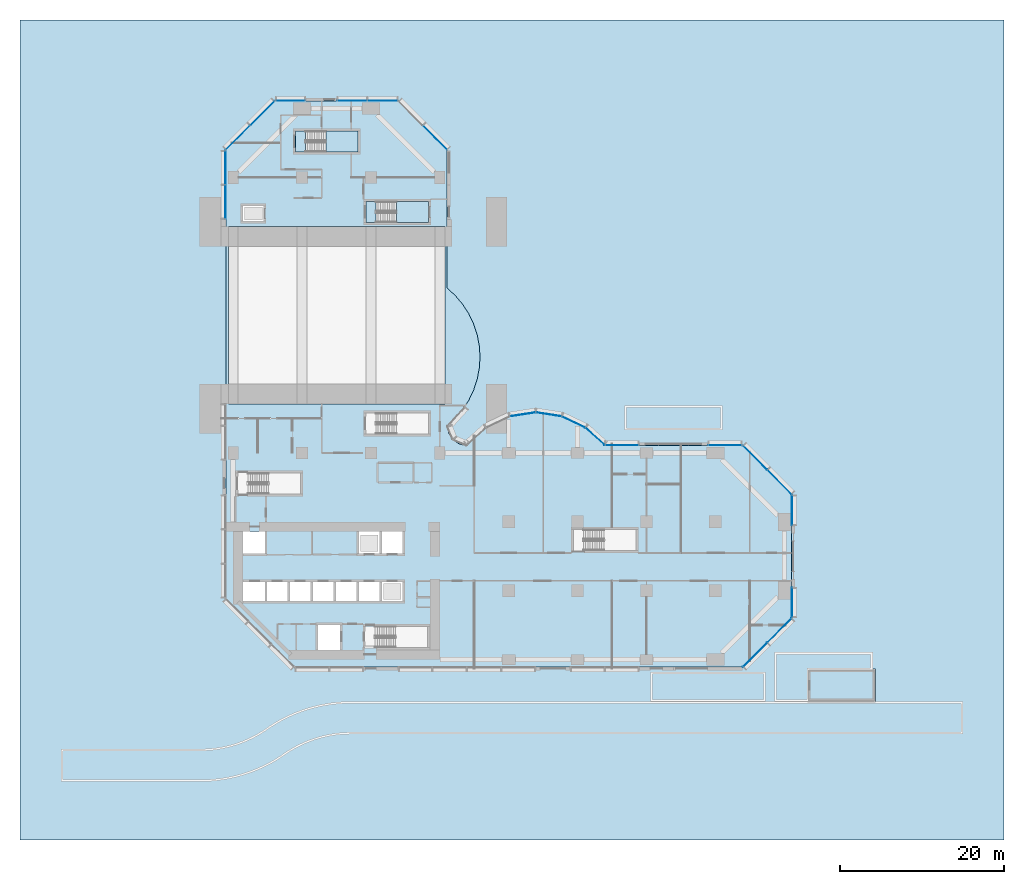
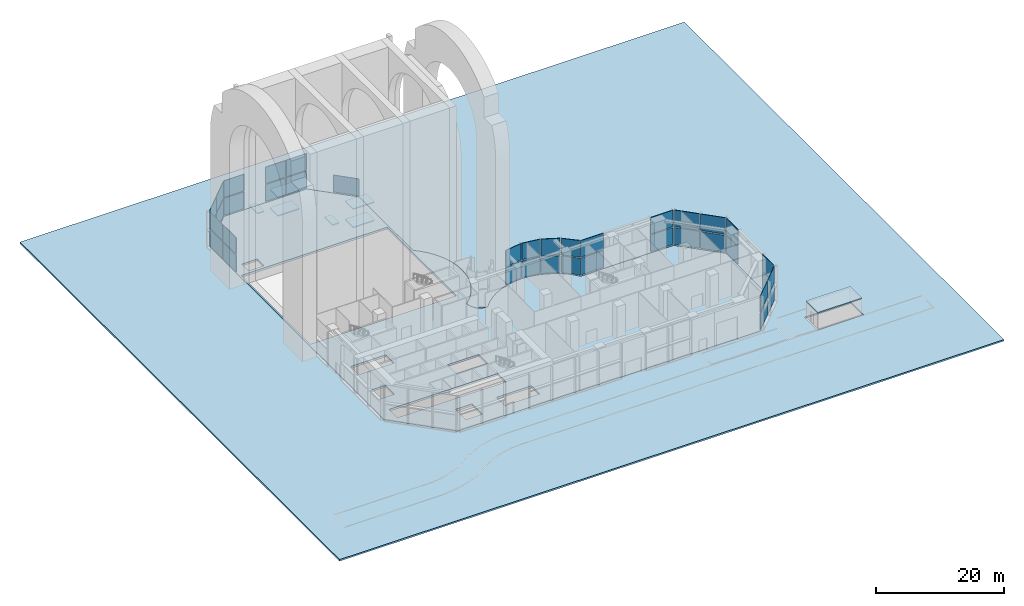
# One storey, part 6 of 21: 39 plates, 9 slabs, 14 elements without a shape of their own.
"""IFC4 building model written with IfcOpenShell, lengths in metres."""

from ifc_helpers import new_model, si_unit, direction, frame, origin, place, context, subcontext, project, spatial, polyline, outline, extrude, material, layer, layer_set, type_object, element, aggregate, save


model = new_model("IFC4")

# Units and contexts
model_context = context("Model", 3, precision=1e-05, world=origin(), true_north=direction((0.0, 1.0)))
body_context = subcontext(model_context, "Body", "Model", "MODEL_VIEW")
ifc_project = project(units=[si_unit("LENGTHUNIT", "METRE"), si_unit("AREAUNIT", "SQUARE_METRE"), si_unit("VOLUMEUNIT", "CUBIC_METRE"), si_unit("PLANEANGLEUNIT", "RADIAN"), si_unit("MASSUNIT", "GRAM", prefix="KILO")], contexts=[model_context])

# Site, building, storey
site_placement = place(None, origin())
site = spatial("IfcSite", under=ifc_project, at=site_placement, CompositionType="ELEMENT")
building_placement = place(site_placement, origin())
building = spatial("IfcBuilding", under=site, at=building_placement, Name="Brevane Broadcast Tower", CompositionType="ELEMENT")
storey_placement = place(building_placement, origin())
storey = spatial("IfcBuildingStorey", under=building, at=storey_placement, Name="L00", CompositionType="ELEMENT", Elevation=0.0)

# Curtain wall, plates
ifc_material_1 = material(Name="Aluminium 6063-T6 bronze anodised", Category="aluminium")
curtain_wall_type = type_object("IfcCurtainWallType", Name="CW-6 curtain wall", PredefinedType="NOTDEFINED", material=ifc_material_1)
curtain_wall_1_placement = place(storey_placement, origin())
curtain_wall_1 = element("IfcCurtainWall", 1, at=curtain_wall_1_placement, inside=storey, type_object=curtain_wall_type, Name="CW-6 ground storey storefront unit L00 south-east chamfer", PredefinedType="NOTDEFINED")
ifc_material_2 = material(Name="Laminated glass bronze-tinted", Category="glass")
ifc_layer_1 = layer(ifc_material_2, 0.0400390625)
ifc_layer_set_1 = layer_set([ifc_layer_1], Name="CW glass panel 40")
plate_type = type_object("IfcPlateType", Name="CW glass panel 40", PredefinedType="CURTAIN_PANEL", material=ifc_layer_set_1)
plate_1_placement = place(storey_placement, frame((0.0, 0.0, 0.199951171875)))
plate_1 = element("IfcPlate", 2, at=plate_1_placement, type_object=plate_type, Name="CW-6 glass panel", PredefinedType="CURTAIN_PANEL", context=body_context, shape_type="SweptSolid", body=[
    extrude(outline(polyline([(62.16357421875, -0.87890625), (65.078857421875, 2.036376953125), (65.107177734375, 2.008056640625), (62.19189453125, -0.906982421875), (62.16357421875, -0.87890625)])), origin(), (0.0, 0.0, 1.0), 3.199951171875),
])
plate_2_placement = place(storey_placement, frame((0.0, 0.0, 3.60009765625)))
plate_2 = element("IfcPlate", 3, at=plate_2_placement, type_object=plate_type, Name="CW-6 glass panel", PredefinedType="CURTAIN_PANEL", context=body_context, shape_type="SweptSolid", body=[
    extrude(outline(polyline([(62.16357421875, -0.87890625), (65.078857421875, 2.036376953125), (65.107177734375, 2.008056640625), (62.19189453125, -0.906982421875), (62.16357421875, -0.87890625)])), origin(), (0.0, 0.0, 1.0), 3.14990234375),
])
plate_3_placement = place(storey_placement, frame((0.0, 0.0, 0.199951171875)))
plate_3 = element("IfcPlate", 4, at=plate_3_placement, type_object=plate_type, Name="CW-6 glass panel", PredefinedType="CURTAIN_PANEL", context=body_context, shape_type="SweptSolid", body=[
    extrude(outline(polyline([(68.078857421875, 5.036376953125), (68.107177734375, 5.008056640625), (65.19189453125, 2.093017578125), (65.16357421875, 2.12109375), (68.078857421875, 5.036376953125)])), origin(), (0.0, 0.0, 1.0), 3.199951171875),
])
plate_4_placement = place(storey_placement, frame((0.0, 0.0, 3.60009765625)))
plate_4 = element("IfcPlate", 5, at=plate_4_placement, type_object=plate_type, Name="CW-6 glass panel", PredefinedType="CURTAIN_PANEL", context=body_context, shape_type="SweptSolid", body=[
    extrude(outline(polyline([(68.078857421875, 5.036376953125), (68.107177734375, 5.008056640625), (65.19189453125, 2.093017578125), (65.16357421875, 2.12109375), (68.078857421875, 5.036376953125)])), origin(), (0.0, 0.0, 1.0), 3.14990234375),
])
aggregate(curtain_wall_1, [plate_1, plate_2, plate_3, plate_4])

curtain_wall_2_placement = place(storey_placement, origin())
curtain_wall_2 = element("IfcCurtainWall", 6, at=curtain_wall_2_placement, inside=storey, type_object=curtain_wall_type, Name="CW-6 ground storey storefront unit L00 east end", PredefinedType="NOTDEFINED")
plate_5_placement = place(storey_placement, frame((0.0, 0.0, 0.199951171875)))
plate_5 = element("IfcPlate", 7, at=plate_5_placement, type_object=plate_type, Name="CW-6 glass panel", PredefinedType="CURTAIN_PANEL", context=body_context, shape_type="SweptSolid", body=[
    extrude(outline(polyline([(68.169921875, 8.7900390625), (68.1298828125, 8.7900390625), (68.1298828125, 5.159912109375), (68.169921875, 5.159912109375), (68.169921875, 8.7900390625)])), origin(), (0.0, 0.0, 1.0), 3.199951171875),
])
plate_6_placement = place(storey_placement, frame((0.0, 0.0, 3.60009765625)))
plate_6 = element("IfcPlate", 8, at=plate_6_placement, type_object=plate_type, Name="CW-6 glass panel", PredefinedType="CURTAIN_PANEL", context=body_context, shape_type="SweptSolid", body=[
    extrude(outline(polyline([(68.169921875, 8.7900390625), (68.1298828125, 8.7900390625), (68.1298828125, 5.159912109375), (68.169921875, 5.159912109375), (68.169921875, 8.7900390625)])), origin(), (0.0, 0.0, 1.0), 3.14990234375),
])
aggregate(curtain_wall_2, [plate_5, plate_6])

curtain_wall_3_placement = place(storey_placement, origin())
curtain_wall_3 = element("IfcCurtainWall", 9, at=curtain_wall_3_placement, inside=storey, type_object=curtain_wall_type, Name="CW-6 ground storey storefront unit L00 east end", PredefinedType="NOTDEFINED")
plate_7_placement = place(storey_placement, frame((0.0, 0.0, 0.199951171875)))
plate_7 = element("IfcPlate", 10, at=plate_7_placement, type_object=plate_type, Name="CW-6 glass panel", PredefinedType="CURTAIN_PANEL", context=body_context, shape_type="SweptSolid", body=[
    extrude(outline(polyline([(68.169921875, 20.0400390625), (68.1298828125, 20.0400390625), (68.1298828125, 16.409912109375), (68.169921875, 16.409912109375), (68.169921875, 20.0400390625)])), origin(), (0.0, 0.0, 1.0), 3.199951171875),
])
plate_8_placement = place(storey_placement, frame((0.0, 0.0, 3.60009765625)))
plate_8 = element("IfcPlate", 11, at=plate_8_placement, type_object=plate_type, Name="CW-6 glass panel", PredefinedType="CURTAIN_PANEL", context=body_context, shape_type="SweptSolid", body=[
    extrude(outline(polyline([(68.169921875, 20.0400390625), (68.1298828125, 20.0400390625), (68.1298828125, 16.409912109375), (68.169921875, 16.409912109375), (68.169921875, 20.0400390625)])), origin(), (0.0, 0.0, 1.0), 3.14990234375),
])
aggregate(curtain_wall_3, [plate_7, plate_8])

curtain_wall_4_placement = place(storey_placement, origin())
curtain_wall_4 = element("IfcCurtainWall", 12, at=curtain_wall_4_placement, inside=storey, type_object=curtain_wall_type, Name="CW-6 ground storey storefront unit L00 north-east chamfer", PredefinedType="NOTDEFINED")
plate_9_placement = place(storey_placement, frame((0.0, 0.0, 0.199951171875)))
plate_9 = element("IfcPlate", 13, at=plate_9_placement, type_object=plate_type, Name="CW-6 glass panel", PredefinedType="CURTAIN_PANEL", context=body_context, shape_type="SweptSolid", body=[
    extrude(outline(polyline([(68.078857421875, 20.16357421875), (65.16357421875, 23.078857421875), (65.19189453125, 23.107177734375), (68.107177734375, 20.19189453125), (68.078857421875, 20.16357421875)])), origin(), (0.0, 0.0, 1.0), 3.199951171875),
])
plate_10_placement = place(storey_placement, frame((0.0, 0.0, 3.60009765625)))
plate_10 = element("IfcPlate", 14, at=plate_10_placement, type_object=plate_type, Name="CW-6 glass panel", PredefinedType="CURTAIN_PANEL", context=body_context, shape_type="SweptSolid", body=[
    extrude(outline(polyline([(68.078857421875, 20.16357421875), (65.16357421875, 23.078857421875), (65.19189453125, 23.107177734375), (68.107177734375, 20.19189453125), (68.078857421875, 20.16357421875)])), origin(), (0.0, 0.0, 1.0), 3.14990234375),
])
plate_11_placement = place(storey_placement, frame((0.0, 0.0, 0.199951171875)))
plate_11 = element("IfcPlate", 15, at=plate_11_placement, type_object=plate_type, Name="CW-6 glass panel", PredefinedType="CURTAIN_PANEL", context=body_context, shape_type="SweptSolid", body=[
    extrude(outline(polyline([(65.078857421875, 23.16357421875), (62.16357421875, 26.078857421875), (62.19189453125, 26.107177734375), (65.107177734375, 23.19189453125), (65.078857421875, 23.16357421875)])), origin(), (0.0, 0.0, 1.0), 3.199951171875),
])
plate_12_placement = place(storey_placement, frame((0.0, 0.0, 3.60009765625)))
plate_12 = element("IfcPlate", 16, at=plate_12_placement, type_object=plate_type, Name="CW-6 glass panel", PredefinedType="CURTAIN_PANEL", context=body_context, shape_type="SweptSolid", body=[
    extrude(outline(polyline([(65.078857421875, 23.16357421875), (62.16357421875, 26.078857421875), (62.19189453125, 26.107177734375), (65.107177734375, 23.19189453125), (65.078857421875, 23.16357421875)])), origin(), (0.0, 0.0, 1.0), 3.14990234375),
])
aggregate(curtain_wall_4, [plate_9, plate_10, plate_11, plate_12])

curtain_wall_5_placement = place(storey_placement, origin())
curtain_wall_5 = element("IfcCurtainWall", 17, at=curtain_wall_5_placement, inside=storey, type_object=curtain_wall_type, Name="CW-6 ground storey storefront unit L00 east arm north face", PredefinedType="NOTDEFINED")
plate_13_placement = place(storey_placement, frame((0.0, 0.0, 0.199951171875)))
plate_13 = element("IfcPlate", 18, at=plate_13_placement, type_object=plate_type, Name="CW-6 glass panel", PredefinedType="CURTAIN_PANEL", context=body_context, shape_type="SweptSolid", body=[
    extrude(outline(polyline([(57.9599609375, 26.169921875), (57.9599609375, 26.1298828125), (62.0400390625, 26.1298828125), (62.0400390625, 26.169921875), (57.9599609375, 26.169921875)])), origin(), (0.0, 0.0, 1.0), 3.199951171875),
])
plate_14_placement = place(storey_placement, frame((0.0, 0.0, 3.60009765625)))
plate_14 = element("IfcPlate", 19, at=plate_14_placement, type_object=plate_type, Name="CW-6 glass panel", PredefinedType="CURTAIN_PANEL", context=body_context, shape_type="SweptSolid", body=[
    extrude(outline(polyline([(57.9599609375, 26.169921875), (57.9599609375, 26.1298828125), (62.0400390625, 26.1298828125), (62.0400390625, 26.169921875), (57.9599609375, 26.169921875)])), origin(), (0.0, 0.0, 1.0), 3.14990234375),
])
aggregate(curtain_wall_5, [plate_13, plate_14])

curtain_wall_6_placement = place(storey_placement, origin())
curtain_wall_6 = element("IfcCurtainWall", 20, at=curtain_wall_6_placement, inside=storey, type_object=curtain_wall_type, Name="CW-6 ground storey storefront unit L00 east arm north face", PredefinedType="NOTDEFINED")
plate_15_placement = place(storey_placement, frame((0.0, 0.0, 0.199951171875)))
plate_15 = element("IfcPlate", 21, at=plate_15_placement, type_object=plate_type, Name="CW-6 glass panel", PredefinedType="CURTAIN_PANEL", context=body_context, shape_type="SweptSolid", body=[
    extrude(outline(polyline([(45.360107421875, 26.169921875), (45.360107421875, 26.1298828125), (49.43994140625, 26.1298828125), (49.43994140625, 26.169921875), (45.360107421875, 26.169921875)])), origin(), (0.0, 0.0, 1.0), 3.199951171875),
])
plate_16_placement = place(storey_placement, frame((0.0, 0.0, 3.60009765625)))
plate_16 = element("IfcPlate", 22, at=plate_16_placement, type_object=plate_type, Name="CW-6 glass panel", PredefinedType="CURTAIN_PANEL", context=body_context, shape_type="SweptSolid", body=[
    extrude(outline(polyline([(45.360107421875, 26.169921875), (45.360107421875, 26.1298828125), (49.43994140625, 26.1298828125), (49.43994140625, 26.169921875), (45.360107421875, 26.169921875)])), origin(), (0.0, 0.0, 1.0), 3.14990234375),
])
aggregate(curtain_wall_6, [plate_15, plate_16])

curtain_wall_7_placement = place(storey_placement, origin())
curtain_wall_7 = element("IfcCurtainWall", 23, at=curtain_wall_7_placement, inside=storey, type_object=curtain_wall_type, Name="CW-6 ground storey storefront unit L00 east bow", PredefinedType="NOTDEFINED")
plate_17_placement = place(storey_placement, frame((0.0, 0.0, 0.199951171875)))
plate_17 = element("IfcPlate", 24, at=plate_17_placement, type_object=plate_type, Name="CW-6 glass panel", PredefinedType="CURTAIN_PANEL", context=body_context, shape_type="SweptSolid", body=[
    extrude(outline(polyline([(45.275634765625, 26.16259765625), (45.302490234375, 26.192138671875), (43.0400390625, 28.23583984375), (43.017578125, 28.202392578125), (45.275634765625, 26.16259765625)])), origin(), (0.0, 0.0, 1.0), 3.199951171875),
])
plate_18_placement = place(storey_placement, frame((0.0, 0.0, 3.60009765625)))
plate_18 = element("IfcPlate", 25, at=plate_18_placement, type_object=plate_type, Name="CW-6 glass panel", PredefinedType="CURTAIN_PANEL", context=body_context, shape_type="SweptSolid", body=[
    extrude(outline(polyline([(45.275634765625, 26.16259765625), (45.302490234375, 26.192138671875), (43.0400390625, 28.23583984375), (43.017578125, 28.202392578125), (45.275634765625, 26.16259765625)])), origin(), (0.0, 0.0, 1.0), 3.14990234375),
])
plate_19_placement = place(storey_placement, frame((0.0, 0.0, 0.199951171875)))
plate_19 = element("IfcPlate", 26, at=plate_19_placement, type_object=plate_type, Name="CW-6 glass panel", PredefinedType="CURTAIN_PANEL", context=body_context, shape_type="SweptSolid", body=[
    extrude(outline(polyline([(42.865478515625, 28.30419921875), (42.88818359375, 28.337646484375), (40.157470703125, 29.637939453125), (40.1455078125, 29.599365234375), (42.865478515625, 28.30419921875)])), origin(), (0.0, 0.0, 1.0), 3.199951171875),
])
plate_20_placement = place(storey_placement, frame((0.0, 0.0, 3.60009765625)))
plate_20 = element("IfcPlate", 27, at=plate_20_placement, type_object=plate_type, Name="CW-6 glass panel", PredefinedType="CURTAIN_PANEL", context=body_context, shape_type="SweptSolid", body=[
    extrude(outline(polyline([(42.865478515625, 28.30419921875), (42.88818359375, 28.337646484375), (40.157470703125, 29.637939453125), (40.1455078125, 29.599365234375), (42.865478515625, 28.30419921875)])), origin(), (0.0, 0.0, 1.0), 3.14990234375),
])
plate_21_placement = place(storey_placement, frame((0.0, 0.0, 0.199951171875)))
plate_21 = element("IfcPlate", 28, at=plate_21_placement, type_object=plate_type, Name="CW-6 glass panel", PredefinedType="CURTAIN_PANEL", context=body_context, shape_type="SweptSolid", body=[
    extrude(outline(polyline([(39.970703125, 29.6533203125), (39.982666015625, 29.69189453125), (36.997314453125, 30.15576171875), (36.997314453125, 30.115234375), (39.970703125, 29.6533203125)])), origin(), (0.0, 0.0, 1.0), 3.199951171875),
])
plate_22_placement = place(storey_placement, frame((0.0, 0.0, 3.60009765625)))
plate_22 = element("IfcPlate", 29, at=plate_22_placement, type_object=plate_type, Name="CW-6 glass panel", PredefinedType="CURTAIN_PANEL", context=body_context, shape_type="SweptSolid", body=[
    extrude(outline(polyline([(39.970703125, 29.6533203125), (39.982666015625, 29.69189453125), (36.997314453125, 30.15576171875), (36.997314453125, 30.115234375), (39.970703125, 29.6533203125)])), origin(), (0.0, 0.0, 1.0), 3.14990234375),
])
plate_23_placement = place(storey_placement, frame((0.0, 0.0, 0.199951171875)))
plate_23 = element("IfcPlate", 30, at=plate_23_placement, type_object=plate_type, Name="CW-6 glass panel", PredefinedType="CURTAIN_PANEL", context=body_context, shape_type="SweptSolid", body=[
    extrude(outline(polyline([(36.802490234375, 30.115234375), (36.802490234375, 30.15576171875), (33.8173828125, 29.69189453125), (33.829345703125, 29.6533203125), (36.802490234375, 30.115234375)])), origin(), (0.0, 0.0, 1.0), 3.199951171875),
])
plate_24_placement = place(storey_placement, frame((0.0, 0.0, 3.60009765625)))
plate_24 = element("IfcPlate", 31, at=plate_24_placement, type_object=plate_type, Name="CW-6 glass panel", PredefinedType="CURTAIN_PANEL", context=body_context, shape_type="SweptSolid", body=[
    extrude(outline(polyline([(36.802490234375, 30.115234375), (36.802490234375, 30.15576171875), (33.8173828125, 29.69189453125), (33.829345703125, 29.6533203125), (36.802490234375, 30.115234375)])), origin(), (0.0, 0.0, 1.0), 3.14990234375),
])
aggregate(curtain_wall_7, [plate_17, plate_18, plate_19, plate_20, plate_21, plate_22, plate_23, plate_24])

# Curtain wall, plate
curtain_wall_8_placement = place(storey_placement, origin())
curtain_wall_8 = element("IfcCurtainWall", 32, at=curtain_wall_8_placement, inside=storey, type_object=curtain_wall_type, Name="CW-6 ground storey storefront unit L00 north arm north-east chamfer", PredefinedType="NOTDEFINED")
plate_25_placement = place(storey_placement, frame((0.0, 0.0, 0.199951171875)))
plate_25 = element("IfcPlate", 33, at=plate_25_placement, type_object=plate_type, Name="CW-6 glass panel", PredefinedType="CURTAIN_PANEL", context=body_context, shape_type="SweptSolid", body=[
    extrude(outline(polyline([(26.078857421875, 62.16357421875), (23.16357421875, 65.078857421875), (23.19189453125, 65.107177734375), (26.107177734375, 62.19189453125), (26.078857421875, 62.16357421875)])), origin(), (0.0, 0.0, 1.0), 3.199951171875),
])
aggregate(curtain_wall_8, [plate_25])

# Curtain wall, plates
curtain_wall_9_placement = place(storey_placement, origin())
curtain_wall_9 = element("IfcCurtainWall", 34, at=curtain_wall_9_placement, inside=storey, type_object=curtain_wall_type, Name="CW-6 ground storey storefront unit L00 north end", PredefinedType="NOTDEFINED")
plate_26_placement = place(storey_placement, frame((0.0, 0.0, 0.199951171875)))
plate_26 = element("IfcPlate", 35, at=plate_26_placement, type_object=plate_type, Name="CW-6 glass panel", PredefinedType="CURTAIN_PANEL", context=body_context, shape_type="SweptSolid", body=[
    extrude(outline(polyline([(16.409912109375, 68.169921875), (16.409912109375, 68.1298828125), (20.0400390625, 68.1298828125), (20.0400390625, 68.169921875), (16.409912109375, 68.169921875)])), origin(), (0.0, 0.0, 1.0), 3.199951171875),
])
plate_27_placement = place(storey_placement, frame((0.0, 0.0, 3.60009765625)))
plate_27 = element("IfcPlate", 36, at=plate_27_placement, type_object=plate_type, Name="CW-6 glass panel", PredefinedType="CURTAIN_PANEL", context=body_context, shape_type="SweptSolid", body=[
    extrude(outline(polyline([(16.409912109375, 68.169921875), (16.409912109375, 68.1298828125), (20.0400390625, 68.1298828125), (20.0400390625, 68.169921875), (16.409912109375, 68.169921875)])), origin(), (0.0, 0.0, 1.0), 3.14990234375),
])
plate_28_placement = place(storey_placement, frame((0.0, 0.0, 0.199951171875)))
plate_28 = element("IfcPlate", 37, at=plate_28_placement, type_object=plate_type, Name="CW-6 glass panel", PredefinedType="CURTAIN_PANEL", context=body_context, shape_type="SweptSolid", body=[
    extrude(outline(polyline([(12.659912109375, 68.169921875), (12.659912109375, 68.1298828125), (16.2900390625, 68.1298828125), (16.2900390625, 68.169921875), (12.659912109375, 68.169921875)])), origin(), (0.0, 0.0, 1.0), 3.199951171875),
])
plate_29_placement = place(storey_placement, frame((0.0, 0.0, 3.60009765625)))
plate_29 = element("IfcPlate", 38, at=plate_29_placement, type_object=plate_type, Name="CW-6 glass panel", PredefinedType="CURTAIN_PANEL", context=body_context, shape_type="SweptSolid", body=[
    extrude(outline(polyline([(12.659912109375, 68.169921875), (12.659912109375, 68.1298828125), (16.2900390625, 68.1298828125), (16.2900390625, 68.169921875), (12.659912109375, 68.169921875)])), origin(), (0.0, 0.0, 1.0), 3.14990234375),
])
aggregate(curtain_wall_9, [plate_26, plate_27, plate_28, plate_29])

curtain_wall_10_placement = place(storey_placement, origin())
curtain_wall_10 = element("IfcCurtainWall", 39, at=curtain_wall_10_placement, inside=storey, type_object=curtain_wall_type, Name="CW-6 ground storey storefront unit L00 north end", PredefinedType="NOTDEFINED")
plate_30_placement = place(storey_placement, frame((0.0, 0.0, 0.199951171875)))
plate_30 = element("IfcPlate", 40, at=plate_30_placement, type_object=plate_type, Name="CW-6 glass panel", PredefinedType="CURTAIN_PANEL", context=body_context, shape_type="SweptSolid", body=[
    extrude(outline(polyline([(5.159912109375, 68.169921875), (5.159912109375, 68.1298828125), (8.7900390625, 68.1298828125), (8.7900390625, 68.169921875), (5.159912109375, 68.169921875)])), origin(), (0.0, 0.0, 1.0), 3.199951171875),
])
plate_31_placement = place(storey_placement, frame((0.0, 0.0, 3.60009765625)))
plate_31 = element("IfcPlate", 41, at=plate_31_placement, type_object=plate_type, Name="CW-6 glass panel", PredefinedType="CURTAIN_PANEL", context=body_context, shape_type="SweptSolid", body=[
    extrude(outline(polyline([(5.159912109375, 68.169921875), (5.159912109375, 68.1298828125), (8.7900390625, 68.1298828125), (8.7900390625, 68.169921875), (5.159912109375, 68.169921875)])), origin(), (0.0, 0.0, 1.0), 3.14990234375),
])
aggregate(curtain_wall_10, [plate_30, plate_31])

curtain_wall_11_placement = place(storey_placement, origin())
curtain_wall_11 = element("IfcCurtainWall", 42, at=curtain_wall_11_placement, inside=storey, type_object=curtain_wall_type, Name="CW-6 ground storey storefront unit L00 north-west chamfer", PredefinedType="NOTDEFINED")
plate_32_placement = place(storey_placement, frame((0.0, 0.0, 0.199951171875)))
plate_32 = element("IfcPlate", 43, at=plate_32_placement, type_object=plate_type, Name="CW-6 glass panel", PredefinedType="CURTAIN_PANEL", context=body_context, shape_type="SweptSolid", body=[
    extrude(outline(polyline([(5.036376953125, 68.078857421875), (2.12109375, 65.16357421875), (2.093017578125, 65.19189453125), (5.008056640625, 68.107177734375), (5.036376953125, 68.078857421875)])), origin(), (0.0, 0.0, 1.0), 3.199951171875),
])
plate_33_placement = place(storey_placement, frame((0.0, 0.0, 3.60009765625)))
plate_33 = element("IfcPlate", 44, at=plate_33_placement, type_object=plate_type, Name="CW-6 glass panel", PredefinedType="CURTAIN_PANEL", context=body_context, shape_type="SweptSolid", body=[
    extrude(outline(polyline([(5.036376953125, 68.078857421875), (2.12109375, 65.16357421875), (2.093017578125, 65.19189453125), (5.008056640625, 68.107177734375), (5.036376953125, 68.078857421875)])), origin(), (0.0, 0.0, 1.0), 3.14990234375),
])
plate_34_placement = place(storey_placement, frame((0.0, 0.0, 0.199951171875)))
plate_34 = element("IfcPlate", 45, at=plate_34_placement, type_object=plate_type, Name="CW-6 glass panel", PredefinedType="CURTAIN_PANEL", context=body_context, shape_type="SweptSolid", body=[
    extrude(outline(polyline([(2.036376953125, 65.078857421875), (-0.87890625, 62.16357421875), (-0.906982421875, 62.19189453125), (2.008056640625, 65.107177734375), (2.036376953125, 65.078857421875)])), origin(), (0.0, 0.0, 1.0), 3.199951171875),
])
plate_35_placement = place(storey_placement, frame((0.0, 0.0, 3.60009765625)))
plate_35 = element("IfcPlate", 46, at=plate_35_placement, type_object=plate_type, Name="CW-6 glass panel", PredefinedType="CURTAIN_PANEL", context=body_context, shape_type="SweptSolid", body=[
    extrude(outline(polyline([(2.036376953125, 65.078857421875), (-0.87890625, 62.16357421875), (-0.906982421875, 62.19189453125), (2.008056640625, 65.107177734375), (2.036376953125, 65.078857421875)])), origin(), (0.0, 0.0, 1.0), 3.14990234375),
])
aggregate(curtain_wall_11, [plate_32, plate_33, plate_34, plate_35])

curtain_wall_12_placement = place(storey_placement, origin())
curtain_wall_12 = element("IfcCurtainWall", 47, at=curtain_wall_12_placement, inside=storey, type_object=curtain_wall_type, Name="CW-6 ground storey storefront unit L00 west face", PredefinedType="NOTDEFINED")
plate_36_placement = place(storey_placement, frame((0.0, 0.0, 0.199951171875)))
plate_36 = element("IfcPlate", 48, at=plate_36_placement, type_object=plate_type, Name="CW-6 glass panel", PredefinedType="CURTAIN_PANEL", context=body_context, shape_type="SweptSolid", body=[
    extrude(outline(polyline([(-0.969970703125, 57.9599609375), (-0.929931640625, 57.9599609375), (-0.929931640625, 62.0400390625), (-0.969970703125, 62.0400390625), (-0.969970703125, 57.9599609375)])), origin(), (0.0, 0.0, 1.0), 3.199951171875),
])
plate_37_placement = place(storey_placement, frame((0.0, 0.0, 3.60009765625)))
plate_37 = element("IfcPlate", 49, at=plate_37_placement, type_object=plate_type, Name="CW-6 glass panel", PredefinedType="CURTAIN_PANEL", context=body_context, shape_type="SweptSolid", body=[
    extrude(outline(polyline([(-0.969970703125, 57.9599609375), (-0.929931640625, 57.9599609375), (-0.929931640625, 62.0400390625), (-0.969970703125, 62.0400390625), (-0.969970703125, 57.9599609375)])), origin(), (0.0, 0.0, 1.0), 3.14990234375),
])
plate_38_placement = place(storey_placement, frame((0.0, 0.0, 0.199951171875)))
plate_38 = element("IfcPlate", 50, at=plate_38_placement, type_object=plate_type, Name="CW-6 glass panel", PredefinedType="CURTAIN_PANEL", context=body_context, shape_type="SweptSolid", body=[
    extrude(outline(polyline([(-0.969970703125, 53.760009765625), (-0.929931640625, 53.760009765625), (-0.929931640625, 57.840087890625), (-0.969970703125, 57.840087890625), (-0.969970703125, 53.760009765625)])), origin(), (0.0, 0.0, 1.0), 3.199951171875),
])
plate_39_placement = place(storey_placement, frame((0.0, 0.0, 3.60009765625)))
plate_39 = element("IfcPlate", 51, at=plate_39_placement, type_object=plate_type, Name="CW-6 glass panel", PredefinedType="CURTAIN_PANEL", context=body_context, shape_type="SweptSolid", body=[
    extrude(outline(polyline([(-0.969970703125, 53.760009765625), (-0.929931640625, 53.760009765625), (-0.929931640625, 57.840087890625), (-0.969970703125, 57.840087890625), (-0.969970703125, 53.760009765625)])), origin(), (0.0, 0.0, 1.0), 3.14990234375),
])
aggregate(curtain_wall_12, [plate_36, plate_37, plate_38, plate_39])

# Stair, slabs
ifc_material_3 = material(Name="Concrete C50/60", Category="concrete")
stair_type = type_object("IfcStairType", Name="Exit stair 40 risers", PredefinedType="HALF_TURN_STAIR", material=ifc_material_3)
stair_1_placement = place(storey_placement, origin())
stair_1 = element("IfcStair", 52, at=stair_1_placement, inside=storey, type_object=stair_type, Name="L00 Exit stair ST-5", PredefinedType="HALF_TURN_STAIR")
ifc_layer_2 = layer(ifc_material_3, 0.199951171875)
ifc_layer_set_2 = layer_set([ifc_layer_2], Name="Exit stair landing")
slab_type_1 = type_object("IfcSlabType", Name="Exit stair landing", PredefinedType="LANDING", material=ifc_layer_set_2)
slab_1_placement = place(storey_placement, frame((0.0, 0.0, 1.550048828125)))
slab_1 = element("IfcSlab", 53, at=slab_1_placement, type_object=slab_type_1, Name="ST-5 landing 1", PredefinedType="LANDING", context=body_context, shape_type="SweptSolid", body=[
    extrude(outline(polyline([(19.919921875, 53.300048828125), (23.800048828125, 53.300048828125), (23.800048828125, 55.85009765625), (19.919921875, 55.85009765625), (19.919921875, 53.300048828125)])), origin(), (0.0, 0.0, 1.0), 0.199951171875),
])
slab_2_placement = place(storey_placement, frame((0.0, 0.0, 3.300048828125)))
slab_2 = element("IfcSlab", 54, at=slab_2_placement, type_object=slab_type_1, Name="ST-5 landing 2", PredefinedType="LANDING", context=body_context, shape_type="SweptSolid", body=[
    extrude(outline(polyline([(16.199951171875, 53.300048828125), (17.39990234375, 53.300048828125), (17.39990234375, 55.85009765625), (16.199951171875, 55.85009765625), (16.199951171875, 53.300048828125)])), origin(), (0.0, 0.0, 1.0), 0.199951171875),
])
slab_3_placement = place(storey_placement, frame((0.0, 0.0, 5.050048828125)))
slab_3 = element("IfcSlab", 55, at=slab_3_placement, type_object=slab_type_1, Name="ST-5 landing 3", PredefinedType="LANDING", context=body_context, shape_type="SweptSolid", body=[
    extrude(outline(polyline([(19.919921875, 53.300048828125), (23.800048828125, 53.300048828125), (23.800048828125, 55.85009765625), (19.919921875, 55.85009765625), (19.919921875, 53.300048828125)])), origin(), (0.0, 0.0, 1.0), 0.199951171875),
])
aggregate(stair_1, [slab_1, slab_2, slab_3])

stair_2_placement = place(storey_placement, origin())
stair_2 = element("IfcStair", 56, at=stair_2_placement, inside=storey, type_object=stair_type, Name="L00 Exit stair ST-6", PredefinedType="HALF_TURN_STAIR")
slab_4_placement = place(storey_placement, frame((0.0, 0.0, 1.550048828125)))
slab_4 = element("IfcSlab", 57, at=slab_4_placement, type_object=slab_type_1, Name="ST-6 landing 1", PredefinedType="LANDING", context=body_context, shape_type="SweptSolid", body=[
    extrude(outline(polyline([(11.320068359375, 61.89990234375), (15.199951171875, 61.89990234375), (15.199951171875, 64.449951171875), (11.320068359375, 64.449951171875), (11.320068359375, 61.89990234375)])), origin(), (0.0, 0.0, 1.0), 0.199951171875),
])
slab_5_placement = place(storey_placement, frame((0.0, 0.0, 3.300048828125)))
slab_5 = element("IfcSlab", 58, at=slab_5_placement, type_object=slab_type_1, Name="ST-6 landing 2", PredefinedType="LANDING", context=body_context, shape_type="SweptSolid", body=[
    extrude(outline(polyline([(7.60009765625, 61.89990234375), (8.800048828125, 61.89990234375), (8.800048828125, 64.449951171875), (7.60009765625, 64.449951171875), (7.60009765625, 61.89990234375)])), origin(), (0.0, 0.0, 1.0), 0.199951171875),
])
slab_6_placement = place(storey_placement, frame((0.0, 0.0, 5.050048828125)))
slab_6 = element("IfcSlab", 59, at=slab_6_placement, type_object=slab_type_1, Name="ST-6 landing 3", PredefinedType="LANDING", context=body_context, shape_type="SweptSolid", body=[
    extrude(outline(polyline([(11.320068359375, 61.89990234375), (15.199951171875, 61.89990234375), (15.199951171875, 64.449951171875), (11.320068359375, 64.449951171875), (11.320068359375, 61.89990234375)])), origin(), (0.0, 0.0, 1.0), 0.199951171875),
])
aggregate(stair_2, [slab_4, slab_5, slab_6])

# Slabs
ifc_material_4 = material(Name="Concrete C30/37", Category="concrete")
ifc_layer_3 = layer(ifc_material_4, 0.300048828125)
ifc_layer_set_3 = layer_set([ifc_layer_3], Name="Paving slab 300")
slab_type_2 = type_object("IfcSlabType", Name="Paving slab 300", PredefinedType="USERDEFINED", material=ifc_layer_set_3)
slab_7_placement = place(storey_placement, frame((0.0, 0.0, -0.300048828125)))
element("IfcSlab", 60, at=slab_7_placement, inside=storey, type_object=slab_type_2, Name="Plaza paving", ObjectType="PAVING", PredefinedType="USERDEFINED", context=body_context, shape_type="SweptSolid", body=[
    extrude(outline(polyline([(-26.0, -22.0), (94.0, -22.0), (94.0, 78.0), (-26.0, 78.0), (-26.0, -22.0)]), holes=[polyline([(68.10107421875, 5.099609375), (68.10107421875, 20.100341796875), (62.100341796875, 26.10107421875), (45.30029296875, 26.10107421875), (44.369384765625, 27.109619140625), (43.31787109375, 27.992431640625), (42.162841796875, 28.735107421875), (40.923095703125, 29.3251953125), (39.61865234375, 29.75390625), (38.270263671875, 30.013916015625), (36.89990234375, 30.10107421875), (35.52978515625, 30.013916015625), (34.181396484375, 29.75390625), (32.876953125, 29.3251953125), (31.63720703125, 28.735107421875), (30.482177734375, 27.992431640625), (29.4306640625, 27.109619140625), (28.49951171875, 26.10107421875), (27.58203125, 26.28369140625), (26.8037109375, 26.8037109375), (26.28369140625, 27.58203125), (26.10107421875, 28.49951171875), (27.109619140625, 29.4306640625), (27.992431640625, 30.482177734375), (28.735107421875, 31.63720703125), (29.3251953125, 32.876953125), (29.75390625, 34.181396484375), (30.013916015625, 35.52978515625), (30.10107421875, 36.89990234375), (30.013916015625, 38.270263671875), (29.75390625, 39.61865234375), (29.3251953125, 40.923095703125), (28.735107421875, 42.162841796875), (27.992431640625, 43.31787109375), (27.109619140625, 44.369384765625), (26.10107421875, 45.30029296875), (26.10107421875, 62.100341796875), (20.100341796875, 68.10107421875), (5.099609375, 68.10107421875), (-0.90087890625, 62.100341796875), (-0.90087890625, 7.49951171875), (7.49951171875, -0.90087890625), (62.100341796875, -0.90087890625), (68.10107421875, 5.099609375)]), polyline([(78.35009765625, -1.14990234375), (70.050048828125, -1.14990234375), (70.050048828125, -5.14990234375), (78.35009765625, -5.14990234375), (78.35009765625, -1.14990234375)])]), origin(), (0.0, 0.0, 1.0), 0.300048828125),
])
ifc_material_5 = material(Name="Concrete C40/50", Category="concrete")
ifc_layer_4 = layer(ifc_material_5, 0.39990234375)
ifc_layer_set_4 = layer_set([ifc_layer_4], Name="RC FLOOR SLAB 400 C40/50")
slab_type_3 = type_object("IfcSlabType", Name="RC FLOOR SLAB 400 C40/50", PredefinedType="FLOOR", material=ifc_layer_set_4)
slab_8_placement = place(storey_placement, frame((0.0, 0.0, -0.39990234375)))
element("IfcSlab", 61, at=slab_8_placement, inside=storey, type_object=slab_type_3, Name="SL400 L00", PredefinedType="FLOOR", context=body_context, shape_type="SweptSolid", body=[
    extrude(outline(polyline([(-0.89990234375, 7.5), (-0.89990234375, 62.10009765625), (5.10009765625, 68.10009765625), (20.10009765625, 68.10009765625), (26.10009765625, 62.10009765625), (26.10009765625, 45.300048828125), (27.10888671875, 44.36865234375), (27.99169921875, 43.317138671875), (28.734130859375, 42.162353515625), (29.324462890625, 40.922607421875), (29.7529296875, 39.618408203125), (30.012939453125, 38.270263671875), (30.10009765625, 36.89990234375), (30.012939453125, 35.52978515625), (29.7529296875, 34.181640625), (29.324462890625, 32.877197265625), (28.734130859375, 31.6376953125), (27.99169921875, 30.48291015625), (27.10888671875, 29.431396484375), (26.10009765625, 28.5), (26.28271484375, 27.58154296875), (26.802978515625, 26.802978515625), (27.58154296875, 26.28271484375), (28.5, 26.10009765625), (29.431396484375, 27.10888671875), (30.48291015625, 27.99169921875), (31.6376953125, 28.734130859375), (32.877197265625, 29.324462890625), (34.181640625, 29.7529296875), (35.52978515625, 30.012939453125), (36.89990234375, 30.10009765625), (38.270263671875, 30.012939453125), (39.618408203125, 29.7529296875), (40.922607421875, 29.324462890625), (42.162353515625, 28.734130859375), (43.317138671875, 27.99169921875), (44.36865234375, 27.10888671875), (45.300048828125, 26.10009765625), (62.10009765625, 26.10009765625), (68.10009765625, 20.10009765625), (68.10009765625, 5.10009765625), (62.10009765625, -0.89990234375), (7.5, -0.89990234375), (-0.89990234375, 7.5)]), holes=[polyline([(13.199951171875, 1.199951171875), (13.199951171875, 4.39990234375), (10.199951171875, 4.39990234375), (10.199951171875, 1.199951171875), (13.199951171875, 1.199951171875)]), polyline([(6.800048828125, 9.60009765625), (4.0, 9.60009765625), (1.199951171875, 9.60009765625), (1.199951171875, 7.0), (4.0, 7.0), (6.800048828125, 7.0), (9.60009765625, 7.0), (12.39990234375, 7.0), (15.199951171875, 7.0), (18.0, 7.0), (20.800048828125, 7.0), (20.800048828125, 9.60009765625), (18.0, 9.60009765625), (15.199951171875, 9.60009765625), (12.39990234375, 9.60009765625), (9.60009765625, 9.60009765625), (6.800048828125, 9.60009765625)]), polyline([(1.199951171875, 12.800048828125), (4.0, 12.800048828125), (4.0, 15.60009765625), (1.199951171875, 15.60009765625), (1.199951171875, 12.800048828125)]), polyline([(8.199951171875, 22.75), (1.860107421875, 22.75), (1.860107421875, 20.199951171875), (8.199951171875, 20.199951171875), (8.199951171875, 22.75)]), polyline([(-0.60009765625, 31.199951171875), (0.60009765625, 31.199951171875), (7.800048828125, 31.199951171875), (9.0, 31.199951171875), (16.199951171875, 31.199951171875), (17.39990234375, 31.199951171875), (24.60009765625, 31.199951171875), (25.800048828125, 31.199951171875), (25.800048828125, 52.800048828125), (24.60009765625, 52.800048828125), (17.39990234375, 52.800048828125), (16.199951171875, 52.800048828125), (9.0, 52.800048828125), (7.800048828125, 52.800048828125), (0.60009765625, 52.800048828125), (-0.60009765625, 52.800048828125), (-0.60009765625, 31.199951171875)]), polyline([(1.050048828125, 53.35009765625), (3.85009765625, 53.35009765625), (3.85009765625, 55.449951171875), (1.050048828125, 55.449951171875), (1.050048828125, 53.35009765625)]), polyline([(23.699951171875, 4.050048828125), (17.360107421875, 4.050048828125), (17.360107421875, 1.5), (23.699951171875, 1.5), (23.699951171875, 4.050048828125)]), polyline([(20.800048828125, 15.60009765625), (18.0, 15.60009765625), (15.199951171875, 15.60009765625), (15.199951171875, 12.800048828125), (18.0, 12.800048828125), (20.800048828125, 12.800048828125), (20.800048828125, 15.60009765625)])]), origin(), (0.0, 0.0, 1.0), 0.39990234375),
])
ifc_layer_5 = layer(ifc_material_4, 0.199951171875)
ifc_layer_set_5 = layer_set([ifc_layer_5], Name="Refuse store roof 200")
slab_type_4 = type_object("IfcSlabType", Name="Refuse store roof 200", PredefinedType="ROOF", material=ifc_layer_set_5)
slab_9_placement = place(storey_placement, frame((0.0, 0.0, 3.0)))
element("IfcSlab", 62, at=slab_9_placement, inside=storey, type_object=slab_type_4, Name="Refuse store roof", PredefinedType="ROOF", context=body_context, shape_type="SweptSolid", body=[
    extrude(outline(polyline([(70.199951171875, -5.0), (78.199951171875, -5.0), (78.199951171875, -1.300048828125), (70.199951171875, -1.300048828125), (70.199951171875, -5.0)])), origin(), (0.0, 0.0, 1.0), 0.199951171875),
])

save(model, "model.ifc")
